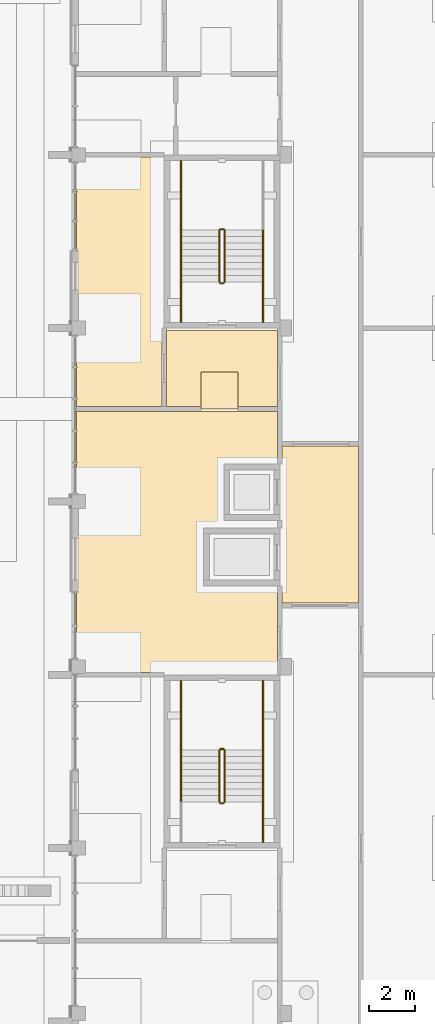
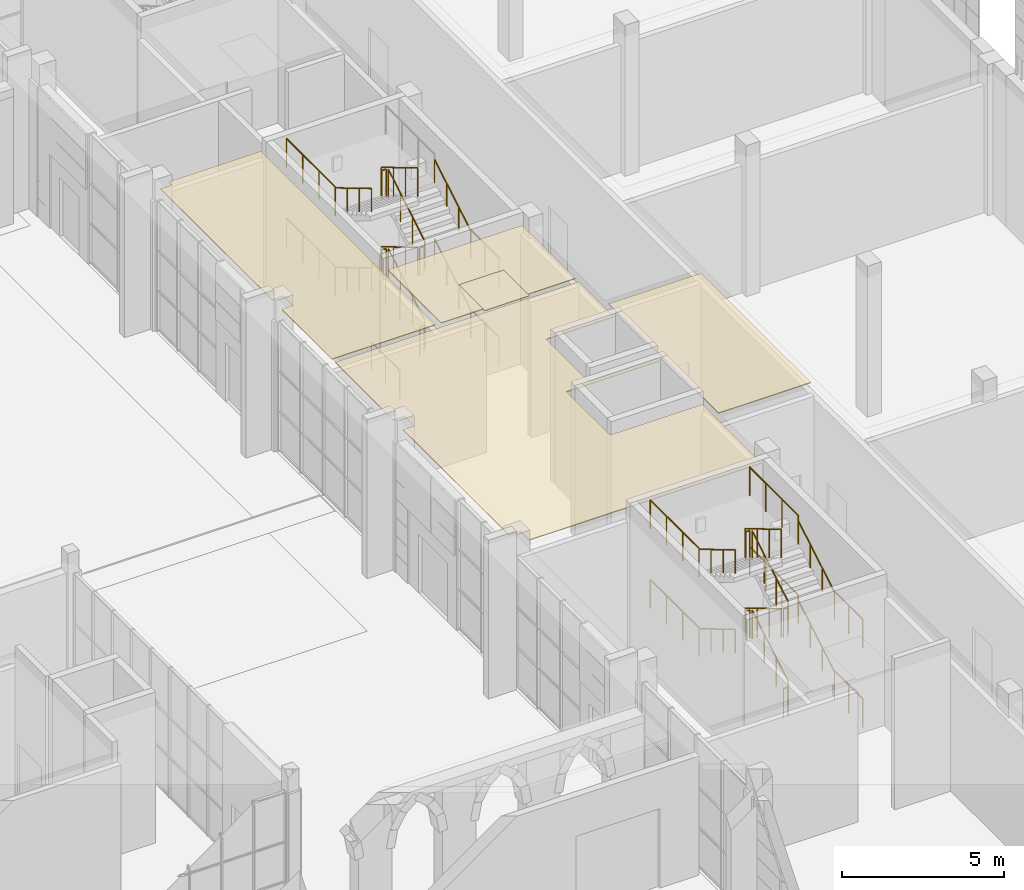
# One storey, part 109 of 125: 36 railings, 5 coverings.
"""IFC4 building model written with IfcOpenShell, lengths in metres."""

from ifc_helpers import new_model, si_unit, direction, frame, origin, origin_2d, place, context, subcontext, project, spatial, polyline, circle, outline, extrude, material, layer, layer_set, type_object, element, save


model = new_model("IFC4")

# Units and contexts
model_context = context("Model", 3, precision=1e-05, world=origin(), true_north=direction((0.0, 1.0)))
body_context = subcontext(model_context, "Body", "Model", "MODEL_VIEW")
ifc_project = project(units=[si_unit("LENGTHUNIT", "METRE"), si_unit("AREAUNIT", "SQUARE_METRE"), si_unit("VOLUMEUNIT", "CUBIC_METRE"), si_unit("PLANEANGLEUNIT", "RADIAN"), si_unit("MASSUNIT", "GRAM", prefix="KILO")], contexts=[model_context])

# Site, building, storey
site_placement = place(None, origin())
site = spatial("IfcSite", under=ifc_project, at=site_placement, CompositionType="ELEMENT")
building_placement = place(site_placement, origin())
building = spatial("IfcBuilding", under=site, at=building_placement, Name="Sun Court Science Centre", CompositionType="ELEMENT")
storey_placement = place(building_placement, origin())
storey = spatial("IfcBuildingStorey", under=building, at=storey_placement, Name="L00", CompositionType="ELEMENT", Elevation=0.0)

# Coverings
ifc_material_1 = material(Name="Gypsum board")
ifc_layer = layer(ifc_material_1, 0.030029296875)
ifc_layer_set = layer_set([ifc_layer], Name="Gypsum board")
covering_type = type_object("IfcCoveringType", Name="Ceiling suspended 600 module", PredefinedType="CEILING", material=ifc_layer_set)
covering_1_placement = place(storey_placement, frame((0.0, 0.0, 5.27001953125)))
element("IfcCovering", 1, at=covering_1_placement, inside=storey, type_object=covering_type, Name="L00-039 ceiling", PredefinedType="CEILING", context=body_context, shape_type="SweptSolid", body=[
    extrude(outline(polyline([(87.10009765625, 53.39990234375), (90.39990234375, 53.39990234375), (90.39990234375, 46.60009765625), (87.10009765625, 46.60009765625), (87.10009765625, 50.08740234375), (87.1025390625, 50.08740234375), (87.1025390625, 52.71240234375), (87.10009765625, 52.71240234375), (87.10009765625, 53.39990234375)])), origin(), (0.0, 0.0, 1.0), 0.030029296875),
])
covering_2_placement = place(storey_placement, frame((0.0, 0.0, 5.27001953125)))
element("IfcCovering", 2, at=covering_2_placement, inside=storey, type_object=covering_type, Name="L00-041 ceiling", PredefinedType="CEILING", context=body_context, shape_type="SweptSolid", body=[
    extrude(outline(polyline([(85.199951171875, 56.60009765625), (83.60009765625, 56.60009765625), (83.60009765625, 55.10009765625), (82.10009765625, 55.10009765625), (82.10009765625, 58.39990234375), (86.89990234375, 58.39990234375), (86.89990234375, 55.10009765625), (85.199951171875, 55.10009765625), (85.199951171875, 56.60009765625)])), origin(), (0.0, 0.0, 1.0), 0.030029296875),
])
covering_3_placement = place(storey_placement, frame((0.0, 0.0, 5.27001953125)))
element("IfcCovering", 3, at=covering_3_placement, inside=storey, type_object=covering_type, Name="L00-048 ceiling", PredefinedType="CEILING", context=body_context, shape_type="SweptSolid", body=[
    extrude(outline(polyline([(78.199951171875, 54.89990234375), (86.89990234375, 54.89990234375), (86.89990234375, 52.71240234375), (84.4775390625, 52.71240234375), (84.4775390625, 50.08740234375), (86.89990234375, 50.08740234375), (86.89990234375, 49.949951171875), (83.60009765625, 49.949951171875), (83.60009765625, 47.25), (86.89990234375, 47.25), (86.89990234375, 43.60009765625), (78.60009765625, 43.60009765625), (78.60009765625, 44.14990234375), (78.199951171875, 44.14990234375), (78.199951171875, 50.699951171875), (78.60009765625, 50.699951171875), (78.60009765625, 51.300048828125), (78.199951171875, 51.300048828125), (78.199951171875, 54.89990234375)])), origin(), (0.0, 0.0, 1.0), 0.030029296875),
])
covering_4_placement = place(storey_placement, frame((0.0, 0.0, 5.27001953125)))
element("IfcCovering", 4, at=covering_4_placement, inside=storey, type_object=covering_type, Name="L00-049 ceiling", PredefinedType="CEILING", context=body_context, shape_type="SweptSolid", body=[
    extrude(outline(polyline([(78.60009765625, 65.89990234375), (81.89990234375, 65.89990234375), (81.89990234375, 55.10009765625), (78.199951171875, 55.10009765625), (78.199951171875, 58.199951171875), (78.60009765625, 58.199951171875), (78.60009765625, 58.800048828125), (78.199951171875, 58.800048828125), (78.199951171875, 65.699951171875), (78.60009765625, 65.699951171875), (78.60009765625, 65.89990234375)])), origin(), (0.0, 0.0, 1.0), 0.030029296875),
])
covering_5_placement = place(storey_placement, frame((0.0, 0.0, 5.27001953125)))
element("IfcCovering", 5, at=covering_5_placement, inside=storey, type_object=covering_type, Name="L00-059 ceiling", PredefinedType="CEILING", context=body_context, shape_type="SweptSolid", body=[
    extrude(outline(polyline([(85.199951171875, 56.60009765625), (85.199951171875, 55.0), (83.60009765625, 55.0), (83.60009765625, 56.60009765625), (85.199951171875, 56.60009765625)])), origin(), (0.0, 0.0, 1.0), 0.030029296875),
])

# Railings
ifc_material_2 = material(Name="Steel S275", Category="steel")
railing_type_1 = type_object("IfcRailingType", Name="Guard 1100 steel balustrade", PredefinedType="GUARDRAIL", material=ifc_material_2)
railing_1_placement = place(storey_placement, frame((84.625, 37.998046875, 0.166748046875)))
element("IfcRailing", 6, at=railing_1_placement, inside=storey, type_object=railing_type_1, Name="L00 SL2 stair guard 1", PredefinedType="GUARDRAIL", context=body_context, shape_type="SweptSolid", body=[
    extrude(circle(Radius=0.02392578125, at=origin_2d()), frame((0.0, 0.0, 1.076171875), z_axis=(0.0, 0.859305625298, 0.511462454469), x_axis=(-1.0, 0.0, 0.0)), (0.0, 0.0, 1.0), 2.606689453125),
    extrude(circle(Radius=0.02099609375, at=origin_2d()), origin(), (0.0, 0.0, 1.0), 1.052001953125),
    extrude(circle(Radius=0.02099609375, at=origin_2d()), frame((0.0, 0.74658203125, 0.4443359375)), (0.0, 0.0, 1.0), 1.052001953125),
    extrude(circle(Radius=0.02099609375, at=origin_2d()), frame((0.0, 1.493408203125, 0.888916015625)), (0.0, 0.0, 1.0), 1.052001953125),
    extrude(circle(Radius=0.02099609375, at=origin_2d()), frame((0.0, 2.239990234375, 1.333251953125)), (0.0, 0.0, 1.0), 1.052001953125),
])
railing_2_placement = place(storey_placement, frame((84.574951171875, 40.2880859375, 1.5)))
element("IfcRailing", 7, at=railing_2_placement, inside=storey, type_object=railing_type_1, Name="L00 SL2 stair guard 2", PredefinedType="GUARDRAIL", context=body_context, shape_type="SweptSolid", body=[
    extrude(circle(Radius=0.02392578125, at=origin_2d()), frame((0.0, 0.0, 1.076171875), z_axis=(-1.0, 0.0, 0.0), x_axis=(0.0, -1.0, 0.0)), (0.0, 0.0, 1.0), 0.14990234375),
    extrude(circle(Radius=0.02099609375, at=origin_2d()), origin(), (0.0, 0.0, 1.0), 1.052001953125),
    extrude(circle(Radius=0.02099609375, at=origin_2d()), frame((-0.14990234375, 0.0, 0.0)), (0.0, 0.0, 1.0), 1.052001953125),
])
for number, where, name in (
    (8, (86.27294921875, 40.238037109375, 1.5), "L00 SL2 stair guard 3"),
    (9, (82.72705078125, 40.238037109375, 1.5), "L00 SL2 stair guard 4"),
):
    element("IfcRailing", number, at=place(storey_placement, frame(where)), inside=storey, type_object=railing_type_1, Name=name, PredefinedType="GUARDRAIL", context=body_context, shape_type="SweptSolid", body=[
        extrude(circle(Radius=0.02392578125, at=origin_2d()), frame((0.0, 0.0, 1.076171875), z_axis=(0.0, 1.0, 0.0), x_axis=(-1.0, 0.0, 0.0)), (0.0, 0.0, 1.0), 3.011962890625),
        extrude(circle(Radius=0.02099609375, at=origin_2d()), origin(), (0.0, 0.0, 1.0), 1.052001953125),
        extrude(circle(Radius=0.02099609375, at=origin_2d()), frame((0.0, 1.00390625, 0.0)), (0.0, 0.0, 1.0), 1.052001953125),
        extrude(circle(Radius=0.02099609375, at=origin_2d()), frame((0.0, 2.008056640625, 0.0)), (0.0, 0.0, 1.0), 1.052001953125),
        extrude(circle(Radius=0.02099609375, at=origin_2d()), frame((0.0, 3.011962890625, 0.0)), (0.0, 0.0, 1.0), 1.052001953125),
    ])
railing_3_placement = place(storey_placement, frame((84.375, 40.238037109375, 1.666748046875)))
element("IfcRailing", 10, at=railing_3_placement, inside=storey, type_object=railing_type_1, Name="L00 SL2 stair guard 5", PredefinedType="GUARDRAIL", context=body_context, shape_type="SweptSolid", body=[
    extrude(circle(Radius=0.02392578125, at=origin_2d()), frame((0.0, 0.0, 1.076171875), z_axis=(0.0, -0.859305625298, 0.511462454469), x_axis=(1.0, 0.0, 0.0)), (0.0, 0.0, 1.0), 2.606689453125),
    extrude(circle(Radius=0.02099609375, at=origin_2d()), origin(), (0.0, 0.0, 1.0), 1.052001953125),
    extrude(circle(Radius=0.02099609375, at=origin_2d()), frame((0.0, -0.74658203125, 0.4443359375)), (0.0, 0.0, 1.0), 1.052001953125),
    extrude(circle(Radius=0.02099609375, at=origin_2d()), frame((0.0, -1.493408203125, 0.888916015625)), (0.0, 0.0, 1.0), 1.052001953125),
    extrude(circle(Radius=0.02099609375, at=origin_2d()), frame((0.0, -2.239990234375, 1.333251953125)), (0.0, 0.0, 1.0), 1.052001953125),
])
railing_4_placement = place(storey_placement, frame((84.574951171875, 37.947998046875, 3.0)))
element("IfcRailing", 11, at=railing_4_placement, inside=storey, type_object=railing_type_1, Name="L00 SL2 stair guard 6", PredefinedType="GUARDRAIL", context=body_context, shape_type="SweptSolid", body=[
    extrude(circle(Radius=0.02392578125, at=origin_2d()), frame((0.0, 0.0, 1.076171875), z_axis=(-1.0, 0.0, 0.0), x_axis=(0.0, -1.0, 0.0)), (0.0, 0.0, 1.0), 0.14990234375),
    extrude(circle(Radius=0.02099609375, at=origin_2d()), origin(), (0.0, 0.0, 1.0), 1.052001953125),
    extrude(circle(Radius=0.02099609375, at=origin_2d()), frame((-0.14990234375, 0.0, 0.0)), (0.0, 0.0, 1.0), 1.052001953125),
])
railing_5_placement = place(storey_placement, frame((86.27294921875, 36.25, 3.0)))
element("IfcRailing", 12, at=railing_5_placement, inside=storey, type_object=railing_type_1, Name="L00 SL2 stair guard 7", PredefinedType="GUARDRAIL", context=body_context, shape_type="SweptSolid", body=[
    extrude(circle(Radius=0.02392578125, at=origin_2d()), frame((0.0, 0.0, 1.076171875), z_axis=(0.0, 1.0, 0.0), x_axis=(-1.0, 0.0, 0.0)), (0.0, 0.0, 1.0), 1.748046875),
    extrude(circle(Radius=0.02099609375, at=origin_2d()), origin(), (0.0, 0.0, 1.0), 1.052001953125),
    extrude(circle(Radius=0.02099609375, at=origin_2d()), frame((0.0, 0.8740234375, 0.0)), (0.0, 0.0, 1.0), 1.052001953125),
    extrude(circle(Radius=0.02099609375, at=origin_2d()), frame((0.0, 1.748046875, 0.0)), (0.0, 0.0, 1.0), 1.052001953125),
])
railing_6_placement = place(storey_placement, frame((84.625, 37.998046875, 3.166748046875)))
element("IfcRailing", 13, at=railing_6_placement, inside=storey, type_object=railing_type_1, Name="L00 SL2 stair guard 9", PredefinedType="GUARDRAIL", context=body_context, shape_type="SweptSolid", body=[
    extrude(circle(Radius=0.02392578125, at=origin_2d()), frame((0.0, 0.0, 1.076171875), z_axis=(0.0, 0.859305625298, 0.511462454469), x_axis=(-1.0, 0.0, 0.0)), (0.0, 0.0, 1.0), 2.606689453125),
    extrude(circle(Radius=0.02099609375, at=origin_2d()), origin(), (0.0, 0.0, 1.0), 1.052001953125),
    extrude(circle(Radius=0.02099609375, at=origin_2d()), frame((0.0, 0.74658203125, 0.4443359375)), (0.0, 0.0, 1.0), 1.052001953125),
    extrude(circle(Radius=0.02099609375, at=origin_2d()), frame((0.0, 1.493408203125, 0.888916015625)), (0.0, 0.0, 1.0), 1.052001953125),
    extrude(circle(Radius=0.02099609375, at=origin_2d()), frame((0.0, 2.239990234375, 1.333251953125)), (0.0, 0.0, 1.0), 1.052001953125),
])
railing_7_placement = place(storey_placement, frame((84.574951171875, 40.2880859375, 4.5)))
element("IfcRailing", 14, at=railing_7_placement, inside=storey, type_object=railing_type_1, Name="L00 SL2 stair guard 10", PredefinedType="GUARDRAIL", context=body_context, shape_type="SweptSolid", body=[
    extrude(circle(Radius=0.02392578125, at=origin_2d()), frame((0.0, 0.0, 1.076171875), z_axis=(-1.0, 0.0, 0.0), x_axis=(0.0, -1.0, 0.0)), (0.0, 0.0, 1.0), 0.14990234375),
    extrude(circle(Radius=0.02099609375, at=origin_2d()), origin(), (0.0, 0.0, 1.0), 1.052001953125),
    extrude(circle(Radius=0.02099609375, at=origin_2d()), frame((-0.14990234375, 0.0, 0.0)), (0.0, 0.0, 1.0), 1.052001953125),
])
for number, where, name in (
    (15, (86.27294921875, 40.238037109375, 4.5), "L00 SL2 stair guard 11"),
    (16, (82.72705078125, 40.238037109375, 4.5), "L00 SL2 stair guard 12"),
):
    element("IfcRailing", number, at=place(storey_placement, frame(where)), inside=storey, type_object=railing_type_1, Name=name, PredefinedType="GUARDRAIL", context=body_context, shape_type="SweptSolid", body=[
        extrude(circle(Radius=0.02392578125, at=origin_2d()), frame((0.0, 0.0, 1.076171875), z_axis=(0.0, 1.0, 0.0), x_axis=(-1.0, 0.0, 0.0)), (0.0, 0.0, 1.0), 3.011962890625),
        extrude(circle(Radius=0.02099609375, at=origin_2d()), origin(), (0.0, 0.0, 1.0), 1.052001953125),
        extrude(circle(Radius=0.02099609375, at=origin_2d()), frame((0.0, 1.00390625, 0.0)), (0.0, 0.0, 1.0), 1.052001953125),
        extrude(circle(Radius=0.02099609375, at=origin_2d()), frame((0.0, 2.008056640625, 0.0)), (0.0, 0.0, 1.0), 1.052001953125),
        extrude(circle(Radius=0.02099609375, at=origin_2d()), frame((0.0, 3.011962890625, 0.0)), (0.0, 0.0, 1.0), 1.052001953125),
    ])
railing_8_placement = place(storey_placement, frame((84.375, 40.238037109375, 4.666748046875)))
element("IfcRailing", 17, at=railing_8_placement, inside=storey, type_object=railing_type_1, Name="L00 SL2 stair guard 13", PredefinedType="GUARDRAIL", context=body_context, shape_type="SweptSolid", body=[
    extrude(circle(Radius=0.02392578125, at=origin_2d()), frame((0.0, 0.0, 1.076171875), z_axis=(0.0, -0.859305625298, 0.511462454469), x_axis=(1.0, 0.0, 0.0)), (0.0, 0.0, 1.0), 2.606689453125),
    extrude(circle(Radius=0.02099609375, at=origin_2d()), origin(), (0.0, 0.0, 1.0), 1.052001953125),
    extrude(circle(Radius=0.02099609375, at=origin_2d()), frame((0.0, -0.74658203125, 0.4443359375)), (0.0, 0.0, 1.0), 1.052001953125),
    extrude(circle(Radius=0.02099609375, at=origin_2d()), frame((0.0, -1.493408203125, 0.888916015625)), (0.0, 0.0, 1.0), 1.052001953125),
    extrude(circle(Radius=0.02099609375, at=origin_2d()), frame((0.0, -2.239990234375, 1.333251953125)), (0.0, 0.0, 1.0), 1.052001953125),
])
railing_9_placement = place(storey_placement, frame((84.574951171875, 37.947998046875, 0.0)))
element("IfcRailing", 18, at=railing_9_placement, inside=storey, type_object=railing_type_1, Name="L00 SL2 stair guard 14", PredefinedType="GUARDRAIL", context=body_context, shape_type="SweptSolid", body=[
    extrude(circle(Radius=0.02392578125, at=origin_2d()), frame((0.0, 0.0, 1.076171875), z_axis=(-1.0, 0.0, 0.0), x_axis=(0.0, -1.0, 0.0)), (0.0, 0.0, 1.0), 0.14990234375),
    extrude(circle(Radius=0.02099609375, at=origin_2d()), origin(), (0.0, 0.0, 1.0), 1.052001953125),
    extrude(circle(Radius=0.02099609375, at=origin_2d()), frame((-0.14990234375, 0.0, 0.0)), (0.0, 0.0, 1.0), 1.052001953125),
])
railing_10_placement = place(storey_placement, frame((86.27294921875, 36.25, 0.0)))
element("IfcRailing", 19, at=railing_10_placement, inside=storey, type_object=railing_type_1, Name="L00 SL2 stair guard 15", PredefinedType="GUARDRAIL", context=body_context, shape_type="SweptSolid", body=[
    extrude(circle(Radius=0.02392578125, at=origin_2d()), frame((0.0, 0.0, 1.076171875), z_axis=(0.0, 1.0, 0.0), x_axis=(-1.0, 0.0, 0.0)), (0.0, 0.0, 1.0), 1.748046875),
    extrude(circle(Radius=0.02099609375, at=origin_2d()), origin(), (0.0, 0.0, 1.0), 1.052001953125),
    extrude(circle(Radius=0.02099609375, at=origin_2d()), frame((0.0, 0.8740234375, 0.0)), (0.0, 0.0, 1.0), 1.052001953125),
    extrude(circle(Radius=0.02099609375, at=origin_2d()), frame((0.0, 1.748046875, 0.0)), (0.0, 0.0, 1.0), 1.052001953125),
])
railing_11_placement = place(storey_placement, frame((84.625, 60.498046875, 0.166748046875)))
element("IfcRailing", 20, at=railing_11_placement, inside=storey, type_object=railing_type_1, Name="L00 SL3 stair guard 1", PredefinedType="GUARDRAIL", context=body_context, shape_type="SweptSolid", body=[
    extrude(circle(Radius=0.02392578125, at=origin_2d()), frame((0.0, 0.0, 1.076171875), z_axis=(0.0, 0.859305625298, 0.511462454469), x_axis=(-1.0, 0.0, 0.0)), (0.0, 0.0, 1.0), 2.606689453125),
    extrude(circle(Radius=0.02099609375, at=origin_2d()), origin(), (0.0, 0.0, 1.0), 1.052001953125),
    extrude(circle(Radius=0.02099609375, at=origin_2d()), frame((0.0, 0.74658203125, 0.4443359375)), (0.0, 0.0, 1.0), 1.052001953125),
    extrude(circle(Radius=0.02099609375, at=origin_2d()), frame((0.0, 1.493408203125, 0.888916015625)), (0.0, 0.0, 1.0), 1.052001953125),
    extrude(circle(Radius=0.02099609375, at=origin_2d()), frame((0.0, 2.239990234375, 1.333251953125)), (0.0, 0.0, 1.0), 1.052001953125),
])
railing_12_placement = place(storey_placement, frame((84.574951171875, 62.7880859375, 1.5)))
element("IfcRailing", 21, at=railing_12_placement, inside=storey, type_object=railing_type_1, Name="L00 SL3 stair guard 2", PredefinedType="GUARDRAIL", context=body_context, shape_type="SweptSolid", body=[
    extrude(circle(Radius=0.02392578125, at=origin_2d()), frame((0.0, 0.0, 1.076171875), z_axis=(-1.0, 0.0, 0.0), x_axis=(0.0, -1.0, 0.0)), (0.0, 0.0, 1.0), 0.14990234375),
    extrude(circle(Radius=0.02099609375, at=origin_2d()), origin(), (0.0, 0.0, 1.0), 1.052001953125),
    extrude(circle(Radius=0.02099609375, at=origin_2d()), frame((-0.14990234375, 0.0, 0.0)), (0.0, 0.0, 1.0), 1.052001953125),
])
railing_13_placement = place(storey_placement, frame((82.72705078125, 62.738037109375, 1.5)))
element("IfcRailing", 22, at=railing_13_placement, inside=storey, type_object=railing_type_1, Name="L00 SL3 stair guard 4", PredefinedType="GUARDRAIL", context=body_context, shape_type="SweptSolid", body=[
    extrude(circle(Radius=0.02392578125, at=origin_2d()), frame((0.0, 0.0, 1.076171875), z_axis=(0.0, 1.0, 0.0), x_axis=(-1.0, 0.0, 0.0)), (0.0, 0.0, 1.0), 3.011962890625),
    extrude(circle(Radius=0.02099609375, at=origin_2d()), origin(), (0.0, 0.0, 1.0), 1.052001953125),
    extrude(circle(Radius=0.02099609375, at=origin_2d()), frame((0.0, 1.00390625, 0.0)), (0.0, 0.0, 1.0), 1.052001953125),
    extrude(circle(Radius=0.02099609375, at=origin_2d()), frame((0.0, 2.008056640625, 0.0)), (0.0, 0.0, 1.0), 1.052001953125),
    extrude(circle(Radius=0.02099609375, at=origin_2d()), frame((0.0, 3.011962890625, 0.0)), (0.0, 0.0, 1.0), 1.052001953125),
])
railing_14_placement = place(storey_placement, frame((84.375, 62.738037109375, 1.666748046875)))
element("IfcRailing", 23, at=railing_14_placement, inside=storey, type_object=railing_type_1, Name="L00 SL3 stair guard 5", PredefinedType="GUARDRAIL", context=body_context, shape_type="SweptSolid", body=[
    extrude(circle(Radius=0.02392578125, at=origin_2d()), frame((0.0, 0.0, 1.076171875), z_axis=(0.0, -0.859305625298, 0.511462454469), x_axis=(1.0, 0.0, 0.0)), (0.0, 0.0, 1.0), 2.606689453125),
    extrude(circle(Radius=0.02099609375, at=origin_2d()), origin(), (0.0, 0.0, 1.0), 1.052001953125),
    extrude(circle(Radius=0.02099609375, at=origin_2d()), frame((0.0, -0.74658203125, 0.4443359375)), (0.0, 0.0, 1.0), 1.052001953125),
    extrude(circle(Radius=0.02099609375, at=origin_2d()), frame((0.0, -1.493408203125, 0.888916015625)), (0.0, 0.0, 1.0), 1.052001953125),
    extrude(circle(Radius=0.02099609375, at=origin_2d()), frame((0.0, -2.239990234375, 1.333251953125)), (0.0, 0.0, 1.0), 1.052001953125),
])
railing_15_placement = place(storey_placement, frame((84.574951171875, 60.447998046875, 3.0)))
element("IfcRailing", 24, at=railing_15_placement, inside=storey, type_object=railing_type_1, Name="L00 SL3 stair guard 6", PredefinedType="GUARDRAIL", context=body_context, shape_type="SweptSolid", body=[
    extrude(circle(Radius=0.02392578125, at=origin_2d()), frame((0.0, 0.0, 1.076171875), z_axis=(-1.0, 0.0, 0.0), x_axis=(0.0, -1.0, 0.0)), (0.0, 0.0, 1.0), 0.14990234375),
    extrude(circle(Radius=0.02099609375, at=origin_2d()), origin(), (0.0, 0.0, 1.0), 1.052001953125),
    extrude(circle(Radius=0.02099609375, at=origin_2d()), frame((-0.14990234375, 0.0, 0.0)), (0.0, 0.0, 1.0), 1.052001953125),
])
for number, where, name in (
    (25, (86.27294921875, 58.75, 3.0), "L00 SL3 stair guard 7"),
    (26, (82.72705078125, 58.75, 3.0), "L00 SL3 stair guard 8"),
):
    element("IfcRailing", number, at=place(storey_placement, frame(where)), inside=storey, type_object=railing_type_1, Name=name, PredefinedType="GUARDRAIL", context=body_context, shape_type="SweptSolid", body=[
        extrude(circle(Radius=0.02392578125, at=origin_2d()), frame((0.0, 0.0, 1.076171875), z_axis=(0.0, 1.0, 0.0), x_axis=(-1.0, 0.0, 0.0)), (0.0, 0.0, 1.0), 1.748046875),
        extrude(circle(Radius=0.02099609375, at=origin_2d()), origin(), (0.0, 0.0, 1.0), 1.052001953125),
        extrude(circle(Radius=0.02099609375, at=origin_2d()), frame((0.0, 0.8740234375, 0.0)), (0.0, 0.0, 1.0), 1.052001953125),
        extrude(circle(Radius=0.02099609375, at=origin_2d()), frame((0.0, 1.748046875, 0.0)), (0.0, 0.0, 1.0), 1.052001953125),
    ])
railing_16_placement = place(storey_placement, frame((84.625, 60.498046875, 3.166748046875)))
element("IfcRailing", 27, at=railing_16_placement, inside=storey, type_object=railing_type_1, Name="L00 SL3 stair guard 9", PredefinedType="GUARDRAIL", context=body_context, shape_type="SweptSolid", body=[
    extrude(circle(Radius=0.02392578125, at=origin_2d()), frame((0.0, 0.0, 1.076171875), z_axis=(0.0, 0.859305625298, 0.511462454469), x_axis=(-1.0, 0.0, 0.0)), (0.0, 0.0, 1.0), 2.606689453125),
    extrude(circle(Radius=0.02099609375, at=origin_2d()), origin(), (0.0, 0.0, 1.0), 1.052001953125),
    extrude(circle(Radius=0.02099609375, at=origin_2d()), frame((0.0, 0.74658203125, 0.4443359375)), (0.0, 0.0, 1.0), 1.052001953125),
    extrude(circle(Radius=0.02099609375, at=origin_2d()), frame((0.0, 1.493408203125, 0.888916015625)), (0.0, 0.0, 1.0), 1.052001953125),
    extrude(circle(Radius=0.02099609375, at=origin_2d()), frame((0.0, 2.239990234375, 1.333251953125)), (0.0, 0.0, 1.0), 1.052001953125),
])
railing_17_placement = place(storey_placement, frame((84.574951171875, 62.7880859375, 4.5)))
element("IfcRailing", 28, at=railing_17_placement, inside=storey, type_object=railing_type_1, Name="L00 SL3 stair guard 10", PredefinedType="GUARDRAIL", context=body_context, shape_type="SweptSolid", body=[
    extrude(circle(Radius=0.02392578125, at=origin_2d()), frame((0.0, 0.0, 1.076171875), z_axis=(-1.0, 0.0, 0.0), x_axis=(0.0, -1.0, 0.0)), (0.0, 0.0, 1.0), 0.14990234375),
    extrude(circle(Radius=0.02099609375, at=origin_2d()), origin(), (0.0, 0.0, 1.0), 1.052001953125),
    extrude(circle(Radius=0.02099609375, at=origin_2d()), frame((-0.14990234375, 0.0, 0.0)), (0.0, 0.0, 1.0), 1.052001953125),
])
railing_18_placement = place(storey_placement, frame((82.72705078125, 62.738037109375, 4.5)))
element("IfcRailing", 29, at=railing_18_placement, inside=storey, type_object=railing_type_1, Name="L00 SL3 stair guard 12", PredefinedType="GUARDRAIL", context=body_context, shape_type="SweptSolid", body=[
    extrude(circle(Radius=0.02392578125, at=origin_2d()), frame((0.0, 0.0, 1.076171875), z_axis=(0.0, 1.0, 0.0), x_axis=(-1.0, 0.0, 0.0)), (0.0, 0.0, 1.0), 3.011962890625),
    extrude(circle(Radius=0.02099609375, at=origin_2d()), origin(), (0.0, 0.0, 1.0), 1.052001953125),
    extrude(circle(Radius=0.02099609375, at=origin_2d()), frame((0.0, 1.00390625, 0.0)), (0.0, 0.0, 1.0), 1.052001953125),
    extrude(circle(Radius=0.02099609375, at=origin_2d()), frame((0.0, 2.008056640625, 0.0)), (0.0, 0.0, 1.0), 1.052001953125),
    extrude(circle(Radius=0.02099609375, at=origin_2d()), frame((0.0, 3.011962890625, 0.0)), (0.0, 0.0, 1.0), 1.052001953125),
])
railing_19_placement = place(storey_placement, frame((84.375, 62.738037109375, 4.666748046875)))
element("IfcRailing", 30, at=railing_19_placement, inside=storey, type_object=railing_type_1, Name="L00 SL3 stair guard 13", PredefinedType="GUARDRAIL", context=body_context, shape_type="SweptSolid", body=[
    extrude(circle(Radius=0.02392578125, at=origin_2d()), frame((0.0, 0.0, 1.076171875), z_axis=(0.0, -0.859305625298, 0.511462454469), x_axis=(1.0, 0.0, 0.0)), (0.0, 0.0, 1.0), 2.606689453125),
    extrude(circle(Radius=0.02099609375, at=origin_2d()), origin(), (0.0, 0.0, 1.0), 1.052001953125),
    extrude(circle(Radius=0.02099609375, at=origin_2d()), frame((0.0, -0.74658203125, 0.4443359375)), (0.0, 0.0, 1.0), 1.052001953125),
    extrude(circle(Radius=0.02099609375, at=origin_2d()), frame((0.0, -1.493408203125, 0.888916015625)), (0.0, 0.0, 1.0), 1.052001953125),
    extrude(circle(Radius=0.02099609375, at=origin_2d()), frame((0.0, -2.239990234375, 1.333251953125)), (0.0, 0.0, 1.0), 1.052001953125),
])
railing_20_placement = place(storey_placement, frame((84.574951171875, 60.447998046875, 0.0)))
element("IfcRailing", 31, at=railing_20_placement, inside=storey, type_object=railing_type_1, Name="L00 SL3 stair guard 14", PredefinedType="GUARDRAIL", context=body_context, shape_type="SweptSolid", body=[
    extrude(circle(Radius=0.02392578125, at=origin_2d()), frame((0.0, 0.0, 1.076171875), z_axis=(-1.0, 0.0, 0.0), x_axis=(0.0, -1.0, 0.0)), (0.0, 0.0, 1.0), 0.14990234375),
    extrude(circle(Radius=0.02099609375, at=origin_2d()), origin(), (0.0, 0.0, 1.0), 1.052001953125),
    extrude(circle(Radius=0.02099609375, at=origin_2d()), frame((-0.14990234375, 0.0, 0.0)), (0.0, 0.0, 1.0), 1.052001953125),
])
for number, where, name in (
    (32, (86.27294921875, 58.75, 0.0), "L00 SL3 stair guard 15"),
    (33, (82.72705078125, 58.75, 0.0), "L00 SL3 stair guard 16"),
):
    element("IfcRailing", number, at=place(storey_placement, frame(where)), inside=storey, type_object=railing_type_1, Name=name, PredefinedType="GUARDRAIL", context=body_context, shape_type="SweptSolid", body=[
        extrude(circle(Radius=0.02392578125, at=origin_2d()), frame((0.0, 0.0, 1.076171875), z_axis=(0.0, 1.0, 0.0), x_axis=(-1.0, 0.0, 0.0)), (0.0, 0.0, 1.0), 1.748046875),
        extrude(circle(Radius=0.02099609375, at=origin_2d()), origin(), (0.0, 0.0, 1.0), 1.052001953125),
        extrude(circle(Radius=0.02099609375, at=origin_2d()), frame((0.0, 0.8740234375, 0.0)), (0.0, 0.0, 1.0), 1.052001953125),
        extrude(circle(Radius=0.02099609375, at=origin_2d()), frame((0.0, 1.748046875, 0.0)), (0.0, 0.0, 1.0), 1.052001953125),
    ])
ifc_material_3 = material(Name="Stainless steel", Category="steel")
railing_type_2 = type_object("IfcRailingType", Name="Handrail 900 stainless", PredefinedType="HANDRAIL", material=ifc_material_3)
railing_21_placement = place(storey_placement, frame((86.27294921875, 37.998046875, 0.166748046875)))
element("IfcRailing", 34, at=railing_21_placement, inside=storey, type_object=railing_type_2, Name="L00 SL2 stair handrail 1", PredefinedType="HANDRAIL", context=body_context, shape_type="SweptSolid", body=[
    extrude(circle(Radius=0.02392578125, at=origin_2d()), frame((0.0, 0.0, 0.8759765625), z_axis=(0.0, 0.859305625298, 0.511462454469), x_axis=(-1.0, 0.0, 0.0)), (0.0, 0.0, 1.0), 2.606689453125),
    extrude(circle(Radius=0.02099609375, at=origin_2d()), origin(), (0.0, 0.0, 1.0), 0.851806640625),
    extrude(circle(Radius=0.02099609375, at=origin_2d()), frame((0.0, 0.74658203125, 0.4443359375)), (0.0, 0.0, 1.0), 0.851806640625),
    extrude(circle(Radius=0.02099609375, at=origin_2d()), frame((0.0, 1.493408203125, 0.888916015625)), (0.0, 0.0, 1.0), 0.851806640625),
    extrude(circle(Radius=0.02099609375, at=origin_2d()), frame((0.0, 2.239990234375, 1.333251953125)), (0.0, 0.0, 1.0), 0.851806640625),
])
railing_22_placement = place(storey_placement, frame((82.72705078125, 40.238037109375, 1.666748046875)))
element("IfcRailing", 35, at=railing_22_placement, inside=storey, type_object=railing_type_2, Name="L00 SL2 stair handrail 2", PredefinedType="HANDRAIL", context=body_context, shape_type="SweptSolid", body=[
    extrude(circle(Radius=0.02392578125, at=origin_2d()), frame((0.0, 0.0, 0.8759765625), z_axis=(0.0, -0.859305625298, 0.511462454469), x_axis=(1.0, 0.0, 0.0)), (0.0, 0.0, 1.0), 2.606689453125),
    extrude(circle(Radius=0.02099609375, at=origin_2d()), origin(), (0.0, 0.0, 1.0), 0.851806640625),
    extrude(circle(Radius=0.02099609375, at=origin_2d()), frame((0.0, -0.74658203125, 0.4443359375)), (0.0, 0.0, 1.0), 0.851806640625),
    extrude(circle(Radius=0.02099609375, at=origin_2d()), frame((0.0, -1.493408203125, 0.888916015625)), (0.0, 0.0, 1.0), 0.851806640625),
    extrude(circle(Radius=0.02099609375, at=origin_2d()), frame((0.0, -2.239990234375, 1.333251953125)), (0.0, 0.0, 1.0), 0.851806640625),
])
railing_23_placement = place(storey_placement, frame((86.27294921875, 37.998046875, 3.166748046875)))
element("IfcRailing", 36, at=railing_23_placement, inside=storey, type_object=railing_type_2, Name="L00 SL2 stair handrail 3", PredefinedType="HANDRAIL", context=body_context, shape_type="SweptSolid", body=[
    extrude(circle(Radius=0.02392578125, at=origin_2d()), frame((0.0, 0.0, 0.8759765625), z_axis=(0.0, 0.859305625298, 0.511462454469), x_axis=(-1.0, 0.0, 0.0)), (0.0, 0.0, 1.0), 2.606689453125),
    extrude(circle(Radius=0.02099609375, at=origin_2d()), origin(), (0.0, 0.0, 1.0), 0.851806640625),
    extrude(circle(Radius=0.02099609375, at=origin_2d()), frame((0.0, 0.74658203125, 0.4443359375)), (0.0, 0.0, 1.0), 0.851806640625),
    extrude(circle(Radius=0.02099609375, at=origin_2d()), frame((0.0, 1.493408203125, 0.888916015625)), (0.0, 0.0, 1.0), 0.851806640625),
    extrude(circle(Radius=0.02099609375, at=origin_2d()), frame((0.0, 2.239990234375, 1.333251953125)), (0.0, 0.0, 1.0), 0.851806640625),
])
railing_24_placement = place(storey_placement, frame((82.72705078125, 40.238037109375, 4.666748046875)))
element("IfcRailing", 37, at=railing_24_placement, inside=storey, type_object=railing_type_2, Name="L00 SL2 stair handrail 4", PredefinedType="HANDRAIL", context=body_context, shape_type="SweptSolid", body=[
    extrude(circle(Radius=0.02392578125, at=origin_2d()), frame((0.0, 0.0, 0.8759765625), z_axis=(0.0, -0.859305625298, 0.511462454469), x_axis=(1.0, 0.0, 0.0)), (0.0, 0.0, 1.0), 2.606689453125),
    extrude(circle(Radius=0.02099609375, at=origin_2d()), origin(), (0.0, 0.0, 1.0), 0.851806640625),
    extrude(circle(Radius=0.02099609375, at=origin_2d()), frame((0.0, -0.74658203125, 0.4443359375)), (0.0, 0.0, 1.0), 0.851806640625),
    extrude(circle(Radius=0.02099609375, at=origin_2d()), frame((0.0, -1.493408203125, 0.888916015625)), (0.0, 0.0, 1.0), 0.851806640625),
    extrude(circle(Radius=0.02099609375, at=origin_2d()), frame((0.0, -2.239990234375, 1.333251953125)), (0.0, 0.0, 1.0), 0.851806640625),
])
railing_25_placement = place(storey_placement, frame((86.27294921875, 60.498046875, 0.166748046875)))
element("IfcRailing", 38, at=railing_25_placement, inside=storey, type_object=railing_type_2, Name="L00 SL3 stair handrail 1", PredefinedType="HANDRAIL", context=body_context, shape_type="SweptSolid", body=[
    extrude(circle(Radius=0.02392578125, at=origin_2d()), frame((0.0, 0.0, 0.8759765625), z_axis=(0.0, 0.859305625298, 0.511462454469), x_axis=(-1.0, 0.0, 0.0)), (0.0, 0.0, 1.0), 2.606689453125),
    extrude(circle(Radius=0.02099609375, at=origin_2d()), origin(), (0.0, 0.0, 1.0), 0.851806640625),
    extrude(circle(Radius=0.02099609375, at=origin_2d()), frame((0.0, 0.74658203125, 0.4443359375)), (0.0, 0.0, 1.0), 0.851806640625),
    extrude(circle(Radius=0.02099609375, at=origin_2d()), frame((0.0, 1.493408203125, 0.888916015625)), (0.0, 0.0, 1.0), 0.851806640625),
    extrude(circle(Radius=0.02099609375, at=origin_2d()), frame((0.0, 2.239990234375, 1.333251953125)), (0.0, 0.0, 1.0), 0.851806640625),
])
railing_26_placement = place(storey_placement, frame((82.72705078125, 62.738037109375, 1.666748046875)))
element("IfcRailing", 39, at=railing_26_placement, inside=storey, type_object=railing_type_2, Name="L00 SL3 stair handrail 2", PredefinedType="HANDRAIL", context=body_context, shape_type="SweptSolid", body=[
    extrude(circle(Radius=0.02392578125, at=origin_2d()), frame((0.0, 0.0, 0.8759765625), z_axis=(0.0, -0.859305625298, 0.511462454469), x_axis=(1.0, 0.0, 0.0)), (0.0, 0.0, 1.0), 2.606689453125),
    extrude(circle(Radius=0.02099609375, at=origin_2d()), origin(), (0.0, 0.0, 1.0), 0.851806640625),
    extrude(circle(Radius=0.02099609375, at=origin_2d()), frame((0.0, -0.74658203125, 0.4443359375)), (0.0, 0.0, 1.0), 0.851806640625),
    extrude(circle(Radius=0.02099609375, at=origin_2d()), frame((0.0, -1.493408203125, 0.888916015625)), (0.0, 0.0, 1.0), 0.851806640625),
    extrude(circle(Radius=0.02099609375, at=origin_2d()), frame((0.0, -2.239990234375, 1.333251953125)), (0.0, 0.0, 1.0), 0.851806640625),
])
railing_27_placement = place(storey_placement, frame((86.27294921875, 60.498046875, 3.166748046875)))
element("IfcRailing", 40, at=railing_27_placement, inside=storey, type_object=railing_type_2, Name="L00 SL3 stair handrail 3", PredefinedType="HANDRAIL", context=body_context, shape_type="SweptSolid", body=[
    extrude(circle(Radius=0.02392578125, at=origin_2d()), frame((0.0, 0.0, 0.8759765625), z_axis=(0.0, 0.859305625298, 0.511462454469), x_axis=(-1.0, 0.0, 0.0)), (0.0, 0.0, 1.0), 2.606689453125),
    extrude(circle(Radius=0.02099609375, at=origin_2d()), origin(), (0.0, 0.0, 1.0), 0.851806640625),
    extrude(circle(Radius=0.02099609375, at=origin_2d()), frame((0.0, 0.74658203125, 0.4443359375)), (0.0, 0.0, 1.0), 0.851806640625),
    extrude(circle(Radius=0.02099609375, at=origin_2d()), frame((0.0, 1.493408203125, 0.888916015625)), (0.0, 0.0, 1.0), 0.851806640625),
    extrude(circle(Radius=0.02099609375, at=origin_2d()), frame((0.0, 2.239990234375, 1.333251953125)), (0.0, 0.0, 1.0), 0.851806640625),
])
railing_28_placement = place(storey_placement, frame((82.72705078125, 62.738037109375, 4.666748046875)))
element("IfcRailing", 41, at=railing_28_placement, inside=storey, type_object=railing_type_2, Name="L00 SL3 stair handrail 4", PredefinedType="HANDRAIL", context=body_context, shape_type="SweptSolid", body=[
    extrude(circle(Radius=0.02392578125, at=origin_2d()), frame((0.0, 0.0, 0.8759765625), z_axis=(0.0, -0.859305625298, 0.511462454469), x_axis=(1.0, 0.0, 0.0)), (0.0, 0.0, 1.0), 2.606689453125),
    extrude(circle(Radius=0.02099609375, at=origin_2d()), origin(), (0.0, 0.0, 1.0), 0.851806640625),
    extrude(circle(Radius=0.02099609375, at=origin_2d()), frame((0.0, -0.74658203125, 0.4443359375)), (0.0, 0.0, 1.0), 0.851806640625),
    extrude(circle(Radius=0.02099609375, at=origin_2d()), frame((0.0, -1.493408203125, 0.888916015625)), (0.0, 0.0, 1.0), 0.851806640625),
    extrude(circle(Radius=0.02099609375, at=origin_2d()), frame((0.0, -2.239990234375, 1.333251953125)), (0.0, 0.0, 1.0), 0.851806640625),
])

save(model, "model.ifc")
